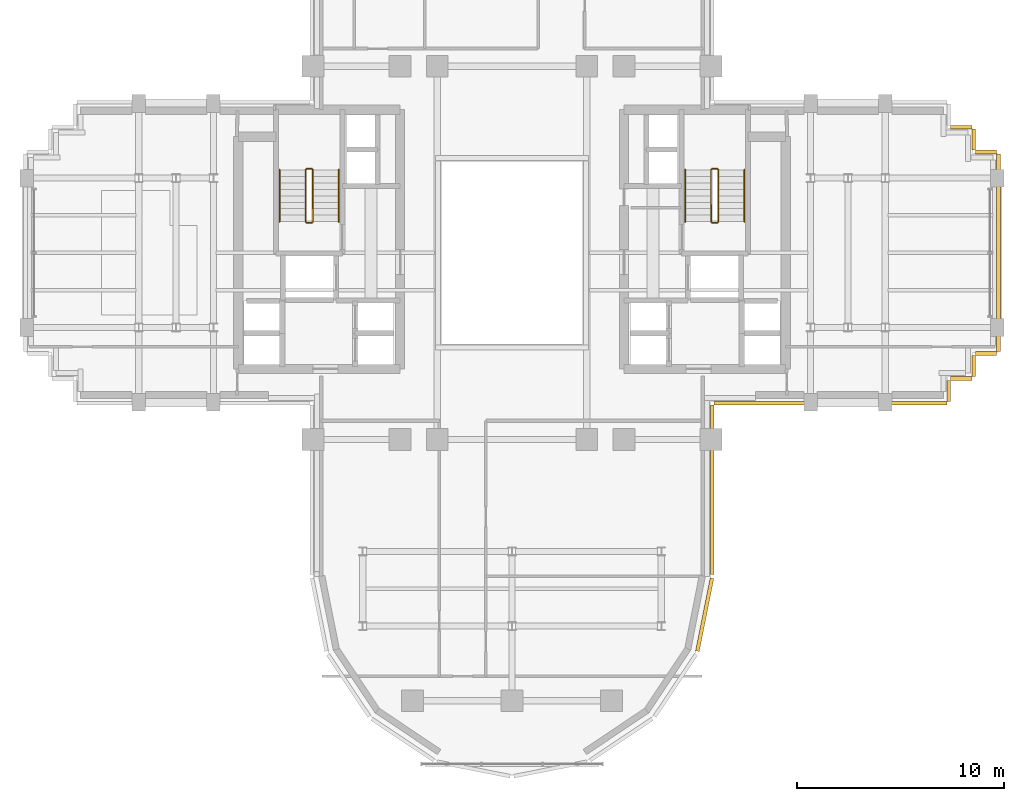
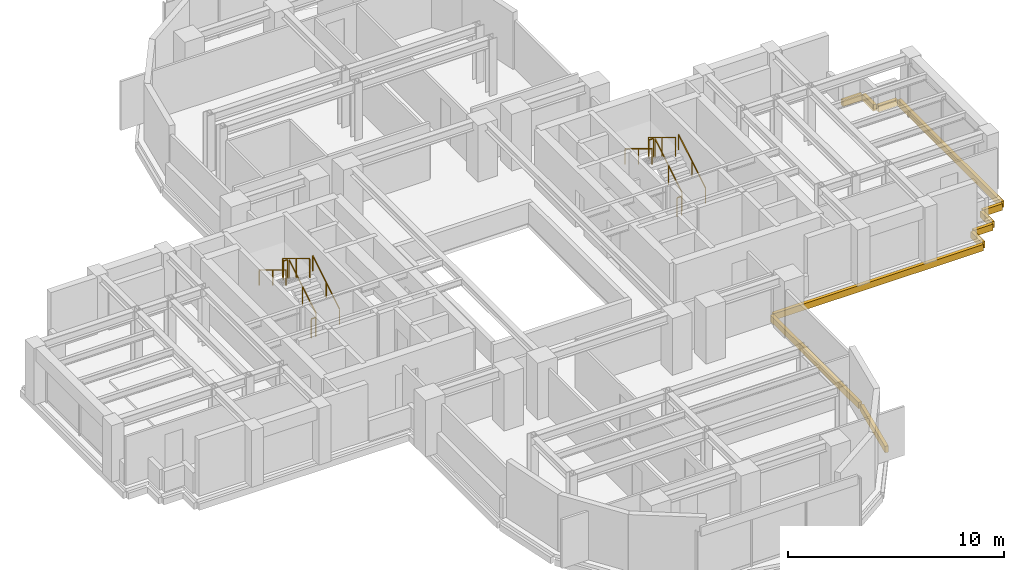
# One storey, part 12 of 13: 12 railings, 11 coverings.
"""IFC4 building model written with IfcOpenShell, lengths in metres."""

from ifc_helpers import new_model, si_unit, direction, frame, origin, origin_2d, place, context, subcontext, project, spatial, rectangle, extrude, source, transform, mapped, material, layer, layer_set, type_object, element, save


model = new_model("IFC4")

# Units and contexts
model_context = context("Model", 3, precision=1e-05, world=origin(), true_north=direction((0.0, 1.0)))
body_context = subcontext(model_context, "Body", "Model", "MODEL_VIEW")
ifc_project = project(units=[si_unit("LENGTHUNIT", "METRE"), si_unit("AREAUNIT", "SQUARE_METRE"), si_unit("VOLUMEUNIT", "CUBIC_METRE"), si_unit("PLANEANGLEUNIT", "RADIAN"), si_unit("MASSUNIT", "GRAM", prefix="KILO")], contexts=[model_context])

# Site, building, storey
site_placement = place(None, origin())
site = spatial("IfcSite", under=ifc_project, at=site_placement, CompositionType="ELEMENT")
building_placement = place(site_placement, origin())
building = spatial("IfcBuilding", under=site, at=building_placement, Name="Keilestroom Media Tower", CompositionType="ELEMENT")
storey_placement = place(building_placement, frame((0.0, 0.0, 97.199951171875)))
storey = spatial("IfcBuildingStorey", under=building, at=storey_placement, Name="L25", CompositionType="ELEMENT", Elevation=97.199951171875)

# Railings
ifc_material_1 = material(Name="Brushed Stainless Steel 1.4301", Category="steel")
railing_type_1 = type_object("IfcRailingType", Name="Stair-Pitch-Handrail-920", PredefinedType="HANDRAIL", material=ifc_material_1)
railing_1_placement = place(storey_placement, frame((-8.35009765625, 1.5, 0.18896484375)))
element("IfcRailing", 1, at=railing_1_placement, inside=storey, type_object=railing_type_1, Name="L25 ST-1 stair handrail 1", PredefinedType="HANDRAIL", context=body_context, shape_type="SweptSolid", body=[
    extrude(rectangle(XDim=0.048095703125, YDim=0.048095703125, at=origin_2d()), frame((0.0, 0.0, 0.8759765625), z_axis=(0.0, 0.855470815493, 0.517851024754), x_axis=(-1.0, 0.0, 0.0)), (0.0, 0.0, 1.0), 2.917724609375),
    extrude(rectangle(XDim=0.0419921875, YDim=0.0419921875, at=origin_2d()), origin(), (0.0, 0.0, 1.0), 0.84375),
    extrude(rectangle(XDim=0.0419921875, YDim=0.0419921875, at=origin_2d()), frame((0.0, 1.248046875, 0.75537109375)), (0.0, 0.0, 1.0), 0.84375),
    extrude(rectangle(XDim=0.0419921875, YDim=0.0419921875, at=origin_2d()), frame((0.0, 2.49609375, 1.510986328125)), (0.0, 0.0, 1.0), 0.84375),
])
railing_2_placement = place(storey_placement, frame((-11.2099609375, 3.99609375, 1.888916015625)))
element("IfcRailing", 2, at=railing_2_placement, inside=storey, type_object=railing_type_1, Name="L25 ST-1 stair handrail 2", PredefinedType="HANDRAIL", context=body_context, shape_type="SweptSolid", body=[
    extrude(rectangle(XDim=0.048095703125, YDim=0.048095703125, at=origin_2d()), frame((0.0, 0.0, 0.8759765625), z_axis=(0.0, -0.855433747314, 0.517912255074), x_axis=(1.0, 0.0, 0.0)), (0.0, 0.0, 1.0), 2.91796875),
    extrude(rectangle(XDim=0.0419921875, YDim=0.0419921875, at=origin_2d()), origin(), (0.0, 0.0, 1.0), 0.84375),
    extrude(rectangle(XDim=0.0419921875, YDim=0.0419921875, at=origin_2d()), frame((0.0, -1.248046875, 0.755615234375)), (0.0, 0.0, 1.0), 0.84375),
    extrude(rectangle(XDim=0.0419921875, YDim=0.0419921875, at=origin_2d()), frame((0.0, -2.49609375, 1.51123046875)), (0.0, 0.0, 1.0), 0.84375),
])
railing_3_placement = place(storey_placement, frame((11.2099609375, 1.5, 0.18896484375)))
element("IfcRailing", 3, at=railing_3_placement, inside=storey, type_object=railing_type_1, Name="L25 ST-2 stair handrail 1", PredefinedType="HANDRAIL", context=body_context, shape_type="SweptSolid", body=[
    extrude(rectangle(XDim=0.048095703125, YDim=0.048095703125, at=origin_2d()), frame((0.0, 0.0, 0.8759765625), z_axis=(0.0, 0.855470815493, 0.517851024754), x_axis=(-1.0, 0.0, 0.0)), (0.0, 0.0, 1.0), 2.917724609375),
    extrude(rectangle(XDim=0.0419921875, YDim=0.0419921875, at=origin_2d()), origin(), (0.0, 0.0, 1.0), 0.84375),
    extrude(rectangle(XDim=0.0419921875, YDim=0.0419921875, at=origin_2d()), frame((0.0, 1.248046875, 0.75537109375)), (0.0, 0.0, 1.0), 0.84375),
    extrude(rectangle(XDim=0.0419921875, YDim=0.0419921875, at=origin_2d()), frame((0.0, 2.49609375, 1.510986328125)), (0.0, 0.0, 1.0), 0.84375),
])
railing_4_placement = place(storey_placement, frame((8.35009765625, 3.99609375, 1.888916015625)))
element("IfcRailing", 4, at=railing_4_placement, inside=storey, type_object=railing_type_1, Name="L25 ST-2 stair handrail 2", PredefinedType="HANDRAIL", context=body_context, shape_type="SweptSolid", body=[
    extrude(rectangle(XDim=0.048095703125, YDim=0.048095703125, at=origin_2d()), frame((0.0, 0.0, 0.8759765625), z_axis=(0.0, -0.855433747314, 0.517912255074), x_axis=(1.0, 0.0, 0.0)), (0.0, 0.0, 1.0), 2.91796875),
    extrude(rectangle(XDim=0.0419921875, YDim=0.0419921875, at=origin_2d()), origin(), (0.0, 0.0, 1.0), 0.84375),
    extrude(rectangle(XDim=0.0419921875, YDim=0.0419921875, at=origin_2d()), frame((0.0, -1.248046875, 0.755615234375)), (0.0, 0.0, 1.0), 0.84375),
    extrude(rectangle(XDim=0.0419921875, YDim=0.0419921875, at=origin_2d()), frame((0.0, -2.49609375, 1.51123046875)), (0.0, 0.0, 1.0), 0.84375),
])
ifc_material_2 = material(Name="Painted Steel Balustrade", Category="steel")
railing_type_2 = type_object("IfcRailingType", Name="Stair-Well-And-Landing-Guard-1100", PredefinedType="GUARDRAIL", material=ifc_material_2)
railing_5_placement = place(storey_placement, frame((-9.610107421875, 1.5, 0.18896484375)))
element("IfcRailing", 5, at=railing_5_placement, inside=storey, type_object=railing_type_2, Name="L25 ST-1 stair guard 1", PredefinedType="GUARDRAIL", context=body_context, shape_type="SweptSolid", body=[
    extrude(rectangle(XDim=0.048095703125, YDim=0.048095703125, at=origin_2d()), frame((0.0, 0.0, 1.076171875), z_axis=(0.0, 0.855470815493, 0.517851024754), x_axis=(-1.0, 0.0, 0.0)), (0.0, 0.0, 1.0), 2.917724609375),
    extrude(rectangle(XDim=0.0419921875, YDim=0.0419921875, at=origin_2d()), origin(), (0.0, 0.0, 1.0), 1.0439453125),
    extrude(rectangle(XDim=0.0419921875, YDim=0.0419921875, at=origin_2d()), frame((0.0, 1.248046875, 0.75537109375)), (0.0, 0.0, 1.0), 1.0439453125),
    extrude(rectangle(XDim=0.0419921875, YDim=0.0419921875, at=origin_2d()), frame((0.0, 2.49609375, 1.510986328125)), (0.0, 0.0, 1.0), 1.0439453125),
])
railing_6_placement = place(storey_placement, frame((-9.659912109375, 4.0458984375, 1.699951171875)))
element("IfcRailing", 6, at=railing_6_placement, inside=storey, type_object=railing_type_2, Name="L25 ST-1 stair guard 2", PredefinedType="GUARDRAIL", context=body_context, shape_type="SweptSolid", body=[
    extrude(rectangle(XDim=0.048095703125, YDim=0.048095703125, at=origin_2d()), frame((0.0, 0.0, 1.076171875), z_axis=(-1.0, 0.0, 0.0), x_axis=(0.0, -1.0, 0.0)), (0.0, 0.0, 1.0), 0.239990234375),
    extrude(rectangle(XDim=0.0419921875, YDim=0.0419921875, at=origin_2d()), origin(), (0.0, 0.0, 1.0), 1.0439453125),
    extrude(rectangle(XDim=0.0419921875, YDim=0.0419921875, at=origin_2d()), frame((-0.239990234375, 0.0, 0.0)), (0.0, 0.0, 1.0), 1.0439453125),
])
railing_7_placement = place(storey_placement, frame((-9.949951171875, 3.99609375, 1.888916015625)))
element("IfcRailing", 7, at=railing_7_placement, inside=storey, type_object=railing_type_2, Name="L25 ST-1 stair guard 3", PredefinedType="GUARDRAIL", context=body_context, shape_type="SweptSolid", body=[
    extrude(rectangle(XDim=0.048095703125, YDim=0.048095703125, at=origin_2d()), frame((0.0, 0.0, 1.076171875), z_axis=(0.0, -0.855433747314, 0.517912255074), x_axis=(1.0, 0.0, 0.0)), (0.0, 0.0, 1.0), 2.91796875),
    extrude(rectangle(XDim=0.0419921875, YDim=0.0419921875, at=origin_2d()), origin(), (0.0, 0.0, 1.0), 1.0439453125),
    extrude(rectangle(XDim=0.0419921875, YDim=0.0419921875, at=origin_2d()), frame((0.0, -1.248046875, 0.755615234375)), (0.0, 0.0, 1.0), 1.0439453125),
    extrude(rectangle(XDim=0.0419921875, YDim=0.0419921875, at=origin_2d()), frame((0.0, -2.49609375, 1.51123046875)), (0.0, 0.0, 1.0), 1.0439453125),
])
railing_8_placement = place(storey_placement, frame((-9.659912109375, 1.449951171875, 0.0)))
element("IfcRailing", 8, at=railing_8_placement, inside=storey, type_object=railing_type_2, Name="L25 ST-1 stair guard 4", PredefinedType="GUARDRAIL", context=body_context, shape_type="SweptSolid", body=[
    extrude(rectangle(XDim=0.048095703125, YDim=0.048095703125, at=origin_2d()), frame((0.0, 0.0, 1.076171875), z_axis=(-1.0, 0.0, 0.0), x_axis=(0.0, -1.0, 0.0)), (0.0, 0.0, 1.0), 0.239990234375),
    extrude(rectangle(XDim=0.0419921875, YDim=0.0419921875, at=origin_2d()), origin(), (0.0, 0.0, 1.0), 1.0439453125),
    extrude(rectangle(XDim=0.0419921875, YDim=0.0419921875, at=origin_2d()), frame((-0.239990234375, 0.0, 0.0)), (0.0, 0.0, 1.0), 1.0439453125),
])
railing_9_placement = place(storey_placement, frame((9.949951171875, 1.5, 0.18896484375)))
element("IfcRailing", 9, at=railing_9_placement, inside=storey, type_object=railing_type_2, Name="L25 ST-2 stair guard 1", PredefinedType="GUARDRAIL", context=body_context, shape_type="SweptSolid", body=[
    extrude(rectangle(XDim=0.048095703125, YDim=0.048095703125, at=origin_2d()), frame((0.0, 0.0, 1.076171875), z_axis=(0.0, 0.855470815493, 0.517851024754), x_axis=(-1.0, 0.0, 0.0)), (0.0, 0.0, 1.0), 2.917724609375),
    extrude(rectangle(XDim=0.0419921875, YDim=0.0419921875, at=origin_2d()), origin(), (0.0, 0.0, 1.0), 1.0439453125),
    extrude(rectangle(XDim=0.0419921875, YDim=0.0419921875, at=origin_2d()), frame((0.0, 1.248046875, 0.75537109375)), (0.0, 0.0, 1.0), 1.0439453125),
    extrude(rectangle(XDim=0.0419921875, YDim=0.0419921875, at=origin_2d()), frame((0.0, 2.49609375, 1.510986328125)), (0.0, 0.0, 1.0), 1.0439453125),
])
railing_10_placement = place(storey_placement, frame((9.89990234375, 4.0458984375, 1.699951171875)))
element("IfcRailing", 10, at=railing_10_placement, inside=storey, type_object=railing_type_2, Name="L25 ST-2 stair guard 2", PredefinedType="GUARDRAIL", context=body_context, shape_type="SweptSolid", body=[
    extrude(rectangle(XDim=0.048095703125, YDim=0.048095703125, at=origin_2d()), frame((0.0, 0.0, 1.076171875), z_axis=(-1.0, 0.0, 0.0), x_axis=(0.0, -1.0, 0.0)), (0.0, 0.0, 1.0), 0.239990234375),
    extrude(rectangle(XDim=0.0419921875, YDim=0.0419921875, at=origin_2d()), origin(), (0.0, 0.0, 1.0), 1.0439453125),
    extrude(rectangle(XDim=0.0419921875, YDim=0.0419921875, at=origin_2d()), frame((-0.239990234375, 0.0, 0.0)), (0.0, 0.0, 1.0), 1.0439453125),
])
railing_11_placement = place(storey_placement, frame((9.610107421875, 3.99609375, 1.888916015625)))
element("IfcRailing", 11, at=railing_11_placement, inside=storey, type_object=railing_type_2, Name="L25 ST-2 stair guard 3", PredefinedType="GUARDRAIL", context=body_context, shape_type="SweptSolid", body=[
    extrude(rectangle(XDim=0.048095703125, YDim=0.048095703125, at=origin_2d()), frame((0.0, 0.0, 1.076171875), z_axis=(0.0, -0.855433747314, 0.517912255074), x_axis=(1.0, 0.0, 0.0)), (0.0, 0.0, 1.0), 2.91796875),
    extrude(rectangle(XDim=0.0419921875, YDim=0.0419921875, at=origin_2d()), origin(), (0.0, 0.0, 1.0), 1.0439453125),
    extrude(rectangle(XDim=0.0419921875, YDim=0.0419921875, at=origin_2d()), frame((0.0, -1.248046875, 0.755615234375)), (0.0, 0.0, 1.0), 1.0439453125),
    extrude(rectangle(XDim=0.0419921875, YDim=0.0419921875, at=origin_2d()), frame((0.0, -2.49609375, 1.51123046875)), (0.0, 0.0, 1.0), 1.0439453125),
])
railing_12_placement = place(storey_placement, frame((9.89990234375, 1.449951171875, 0.0)))
element("IfcRailing", 12, at=railing_12_placement, inside=storey, type_object=railing_type_2, Name="L25 ST-2 stair guard 4", PredefinedType="GUARDRAIL", context=body_context, shape_type="SweptSolid", body=[
    extrude(rectangle(XDim=0.048095703125, YDim=0.048095703125, at=origin_2d()), frame((0.0, 0.0, 1.076171875), z_axis=(-1.0, 0.0, 0.0), x_axis=(0.0, -1.0, 0.0)), (0.0, 0.0, 1.0), 0.239990234375),
    extrude(rectangle(XDim=0.0419921875, YDim=0.0419921875, at=origin_2d()), origin(), (0.0, 0.0, 1.0), 1.0439453125),
    extrude(rectangle(XDim=0.0419921875, YDim=0.0419921875, at=origin_2d()), frame((-0.239990234375, 0.0, 0.0)), (0.0, 0.0, 1.0), 1.0439453125),
])

# Coverings
ifc_material_3 = material(Name="Precast concrete C40/50", Category="concrete")
ifc_layer = layer(ifc_material_3, 0.1201171875)
ifc_layer_set = layer_set([ifc_layer], Name="Precast concrete C40/50")
covering_type = type_object("IfcCoveringType", Name="Exterior-Precast-Spandrel-Cladding-Panel-120", PredefinedType="CLADDING", material=ifc_layer_set)
shared_shape_1 = source(origin(), body_context, "Body", "SweptSolid", [
    extrude(rectangle(XDim=1.02001953125, YDim=0.179931640625, at=origin_2d()), origin(), (0.0, 0.0, 1.0), 0.360107421875),
])
for number, where, z_axis, x_axis, name in (
    (13, (22.860107421875, -4.860107421875, -0.5400390625), (0.0, 0.0, 1.0), (-1.0, 0.0, 0.0), "L25 Precast Slab-Edge Fascia Cornice 01"),
    (14, (22.260009765625, -5.4599609375, -0.5400390625), (0.0, 0.0, 1.0), (0.0, -1.0, 0.0), "L25 Precast Slab-Edge Fascia Cornice 02"),
    (15, (21.659912109375, -6.06005859375, -0.5400390625), (0.0, 0.0, 1.0), (-1.0, 0.0, 0.0), "L25 Precast Slab-Edge Fascia Cornice 03"),
    (16, (21.06005859375, -6.659912109375, -0.5400390625), (0.0, 0.0, 1.0), (0.0, -1.0, 0.0), "L25 Precast Slab-Edge Fascia Cornice 04"),
    (17, (21.659912109375, 6.06005859375, -0.5400390625), (0.0, 0.0, 1.0), (1.0, 0.0, 0.0), "L25 Precast Slab-Edge Fascia Cornice 39"),
    (18, (22.260009765625, 5.4599609375, -0.5400390625), (0.0, 0.0, 1.0), (0.0, -1.0, 0.0), "L25 Precast Slab-Edge Fascia Cornice 40"),
    (19, (22.860107421875, 4.860107421875, -0.5400390625), (0.0, 0.0, 1.0), (1.0, 0.0, 0.0), "L25 Precast Slab-Edge Fascia Cornice 41"),
):
    element("IfcCovering", number, at=place(storey_placement, frame(where, z_axis=z_axis, x_axis=x_axis)), inside=storey, type_object=covering_type, Name=name, PredefinedType="CLADDING", context=body_context, shape_type="MappedRepresentation", body=[
        mapped(shared_shape_1, transform((0.0, 0.0, 0.0), x_axis=(1.0, 0.0, 0.0), y_axis=(0.0, 1.0, 0.0), z_axis=(0.0, 0.0, 1.0), scale=1.0)),
    ])
shared_shape_2 = source(origin(), body_context, "Body", "SweptSolid", [
    extrude(rectangle(XDim=8.166015625, YDim=0.179931640625, at=origin_2d()), origin(), (0.0, 0.0, 1.0), 0.360107421875),
])
covering_1_placement = place(storey_placement, frame((9.659912109375, -11.43310546875, -0.5400390625), z_axis=(0.0, 0.0, 1.0), x_axis=(0.0, -1.0, 0.0)))
element("IfcCovering", 20, at=covering_1_placement, inside=storey, type_object=covering_type, Name="L25 Precast Slab-Edge Fascia Cornice 06", PredefinedType="CLADDING", context=body_context, shape_type="MappedRepresentation", body=[
    mapped(shared_shape_2, transform((0.0, 0.0, 0.0), x_axis=(1.0, 0.0, 0.0), y_axis=(0.0, 1.0, 0.0), z_axis=(0.0, 0.0, 1.0), scale=1.0)),
])
shared_shape_3 = source(origin(), body_context, "Body", "SweptSolid", [
    extrude(rectangle(XDim=3.58349609375, YDim=0.179931640625, at=origin_2d()), origin(), (0.0, 0.0, 1.0), 0.360107421875),
])
covering_2_placement = place(storey_placement, frame((9.29296875, -17.45166015625, -0.5400390625), z_axis=(0.0, 0.0, 1.0), x_axis=(-0.195098880975, -0.980783577882, 0.0)))
element("IfcCovering", 21, at=covering_2_placement, inside=storey, type_object=covering_type, Name="L25 Precast Slab-Edge Fascia Cornice 07", PredefinedType="CLADDING", context=body_context, shape_type="MappedRepresentation", body=[
    mapped(shared_shape_3, transform((0.0, 0.0, 0.0), x_axis=(1.0, 0.0, 0.0), y_axis=(0.0, 1.0, 0.0), z_axis=(0.0, 0.0, 1.0), scale=1.0)),
])
shared_shape_4 = source(origin(), body_context, "Body", "SweptSolid", [
    extrude(rectangle(XDim=9.5400390625, YDim=0.179931640625, at=origin_2d()), origin(), (0.0, 0.0, 1.0), 0.360107421875),
])
covering_3_placement = place(storey_placement, frame((23.4599609375, 0.0, -0.5400390625), z_axis=(0.0, 0.0, 1.0), x_axis=(0.0, -1.0, 0.0)))
element("IfcCovering", 22, at=covering_3_placement, inside=storey, type_object=covering_type, Name="L25 Precast Slab-Edge Fascia Cornice 42", PredefinedType="CLADDING", context=body_context, shape_type="MappedRepresentation", body=[
    mapped(shared_shape_4, transform((0.0, 0.0, 0.0), x_axis=(1.0, 0.0, 0.0), y_axis=(0.0, 1.0, 0.0), z_axis=(0.0, 0.0, 1.0), scale=1.0)),
])
shared_shape_5 = source(origin(), body_context, "Body", "SweptSolid", [
    extrude(rectangle(XDim=11.219970703125, YDim=0.179931640625, at=origin_2d()), origin(), (0.0, 0.0, 1.0), 0.360107421875),
])
covering_4_placement = place(storey_placement, frame((15.360107421875, -7.260009765625, -0.5400390625), z_axis=(0.0, 0.0, 1.0), x_axis=(-1.0, 0.0, 0.0)))
element("IfcCovering", 23, at=covering_4_placement, inside=storey, type_object=covering_type, Name="L25 Precast Slab-Edge Fascia Cornice 05", PredefinedType="CLADDING", context=body_context, shape_type="MappedRepresentation", body=[
    mapped(shared_shape_5, transform((0.0, 0.0, 0.0), x_axis=(1.0, 0.0, 0.0), y_axis=(0.0, 1.0, 0.0), z_axis=(0.0, 0.0, 1.0), scale=1.0)),
])

save(model, "model.ifc")
